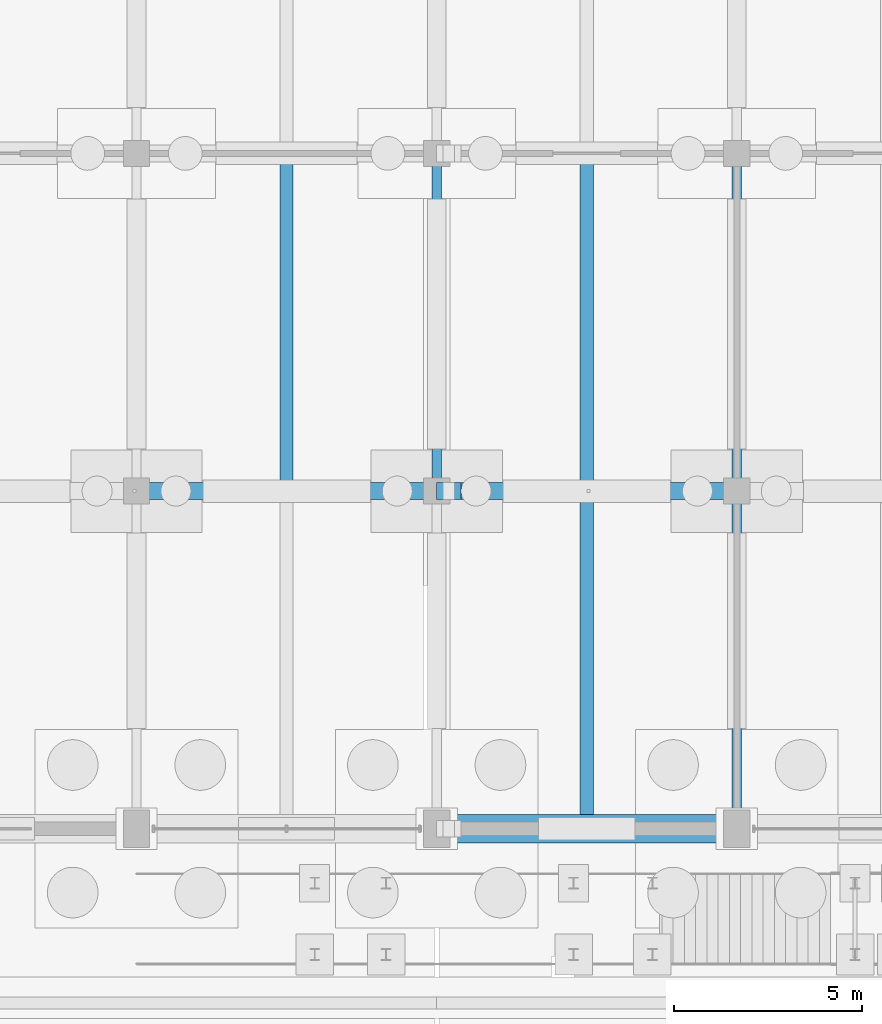
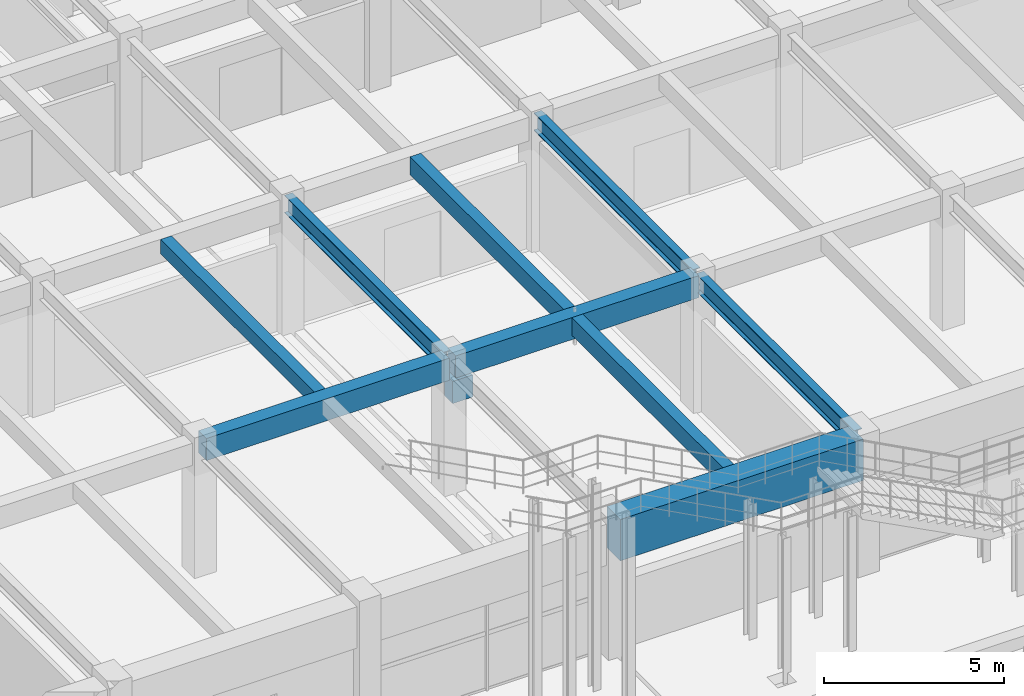
# One storey, part 86 of 147: 10 beams.
"""IFC4 building model written with IfcOpenShell, lengths in metres."""

from ifc_helpers import new_model, si_unit, direction, frame, origin, origin_2d, place, context, subcontext, project, spatial, rectangle, i_section, extrude, material, material_profile, profile_set, type_object, element, save


model = new_model("IFC4")

# Units and contexts
model_context = context("Model", 3, precision=1e-05, world=origin(), true_north=direction((0.0, 1.0)))
body_context = subcontext(model_context, "Body", "Model", "MODEL_VIEW")
ifc_project = project(units=[si_unit("LENGTHUNIT", "METRE"), si_unit("AREAUNIT", "SQUARE_METRE"), si_unit("VOLUMEUNIT", "CUBIC_METRE"), si_unit("PLANEANGLEUNIT", "RADIAN"), si_unit("MASSUNIT", "GRAM", prefix="KILO")], contexts=[model_context])

# Site, building, storey
site_placement = place(None, origin())
site = spatial("IfcSite", under=ifc_project, at=site_placement, CompositionType="ELEMENT")
building_placement = place(site_placement, origin())
building = spatial("IfcBuilding", under=site, at=building_placement, Name="Varnabhumi Central Station", CompositionType="ELEMENT")
storey_placement = place(building_placement, origin())
storey = spatial("IfcBuildingStorey", under=building, at=storey_placement, Name="L00", CompositionType="ELEMENT", Elevation=0.0)

# Beams
ifc_material_1 = material(Name="Concrete M50", Category="concrete")
ifc_material_profile_1 = material_profile(ifc_material_1, rectangle(XDim=0.75, YDim=1.39990234375, at=origin_2d()), Name="Concrete M50", Category="concrete")
ifc_profile_set_1 = profile_set([ifc_material_profile_1], Name="Concrete M50")
beam_type_1 = type_object("IfcBeamType", Name="BM-RC-1400x750", PredefinedType="BEAM", material=ifc_profile_set_1)
beam_1_placement = place(storey_placement, frame((120.10009765625, 80.0, 3.85009765625), z_axis=(1.0, 0.0, 0.0), x_axis=(0.0, 1.0, 0.0)))
element("IfcBeam", 1, at=beam_1_placement, inside=storey, type_object=beam_type_1, Name="Beam L00-K:16-17", PredefinedType="BEAM", context=body_context, shape_type="SweptSolid", body=[
    extrude(rectangle(XDim=0.75, YDim=1.39990234375, at=origin_2d()), origin(), (0.0, 0.0, 1.0), 7.7998046875),
])
ifc_material_2 = material(Name="Concrete M40", Category="concrete")
ifc_material_profile_2 = material_profile(ifc_material_2, rectangle(XDim=0.35009765625, YDim=0.5, at=origin_2d()), Name="Concrete M40", Category="concrete")
ifc_profile_set_2 = profile_set([ifc_material_profile_2], Name="Concrete M40")
beam_type_2 = type_object("IfcBeamType", Name="BM-RC-350x500", PredefinedType="JOIST", material=ifc_profile_set_2)
beam_2_placement = place(storey_placement, frame((116.0, 89.22509765625, 4.300048828125), z_axis=(0.0, 1.0, 0.0), x_axis=(-1.0, 0.0, 0.0)))
element("IfcBeam", 2, at=beam_2_placement, inside=storey, type_object=beam_type_2, Name="Secondary Joist L00-15/16:L-M", PredefinedType="JOIST", context=body_context, shape_type="SweptSolid", body=[
    extrude(rectangle(XDim=0.35009765625, YDim=0.5, at=origin_2d()), origin(), (0.0, 0.0, 1.0), 8.5498046875),
])
ifc_material_profile_3 = material_profile(ifc_material_2, rectangle(XDim=0.449951171875, YDim=0.75, at=origin_2d()), Name="Concrete M40", Category="concrete")
ifc_profile_set_3 = profile_set([ifc_material_profile_3], Name="Concrete M40")
beam_type_3 = type_object("IfcBeamType", Name="BM-RC-450x750", PredefinedType="BEAM", material=ifc_profile_set_3)
for number, where, z_axis, x_axis, name in (
    (3, (112.10009765625, 89.0, 4.175048828125), (1.0, 0.0, 0.0), (0.0, 1.0, 0.0), "Beam L00-L:15-16"),
    (4, (120.10009765625, 89.0, 4.175048828125), (1.0, 0.0, 0.0), (0.0, 1.0, 0.0), "Beam L00-L:16-17"),
):
    element("IfcBeam", number, at=place(storey_placement, frame(where, z_axis=z_axis, x_axis=x_axis)), inside=storey, type_object=beam_type_3, Name=name, PredefinedType="BEAM", context=body_context, shape_type="SweptSolid", body=[
        extrude(rectangle(XDim=0.449951171875, YDim=0.75, at=origin_2d()), origin(), (0.0, 0.0, 1.0), 7.7998046875),
    ])
beam_3_placement = place(storey_placement, frame((120.0, 89.0, 3.344970703125), z_axis=(1.0, 0.0, 0.0), x_axis=(0.0, 1.0, 0.0)))
element("IfcBeam", 5, at=beam_3_placement, inside=storey, type_object=beam_type_3, Name="Movement Joint 650mm Corbel Seat L00-L-16", PredefinedType="BEAM", context=body_context, shape_type="SweptSolid", body=[
    extrude(rectangle(XDim=0.449951171875, YDim=0.75, at=origin_2d()), origin(), (0.0, 0.0, 1.0), 0.64990234375),
])
ifc_material_profile_4 = material_profile(ifc_material_2, rectangle(XDim=0.35009765625, YDim=0.60009765625, at=origin_2d()), Name="Concrete M40", Category="concrete")
ifc_profile_set_4 = profile_set([ifc_material_profile_4], Name="Concrete M40")
beam_type_4 = type_object("IfcBeamType", Name="BM-RC-600x350", PredefinedType="JOIST", material=ifc_profile_set_4)
beam_4_placement = place(storey_placement, frame((124.0, 80.375, 4.25), z_axis=(0.0, 1.0, 0.0), x_axis=(-1.0, 0.0, 0.0)))
element("IfcBeam", 6, at=beam_4_placement, inside=storey, type_object=beam_type_4, Name="Secondary Joist L00-16/17:K-L", PredefinedType="JOIST", context=body_context, shape_type="SweptSolid", body=[
    extrude(rectangle(XDim=0.35009765625, YDim=0.60009765625, at=origin_2d()), origin(), (0.0, 0.0, 1.0), 8.39990234375),
])
beam_5_placement = place(storey_placement, frame((124.0, 89.22509765625, 4.25), z_axis=(0.0, 1.0, 0.0), x_axis=(-1.0, 0.0, 0.0)))
element("IfcBeam", 7, at=beam_5_placement, inside=storey, type_object=beam_type_4, Name="Secondary Joist L00-16/17:L-M", PredefinedType="JOIST", context=body_context, shape_type="SweptSolid", body=[
    extrude(rectangle(XDim=0.35009765625, YDim=0.60009765625, at=origin_2d()), origin(), (0.0, 0.0, 1.0), 8.5498046875),
])
ifc_material_3 = material(Name="Structural steel E350", Category="steel")
ifc_material_profile_5 = material_profile(ifc_material_3, i_section(OverallWidth=0.25, OverallDepth=0.60009765625, WebThickness=0.01171875, FlangeThickness=0.023681640625, FilletRadius=0.01708984375, at=origin_2d()), Name="Structural steel E350", Category="steel")
ifc_profile_set_5 = profile_set([ifc_material_profile_5], Name="Structural steel E350")
beam_type_5 = type_object("IfcBeamType", Name="BM-SEC-ISWB600", PredefinedType="BEAM", material=ifc_profile_set_5)
for number, where, z_axis, x_axis, name in (
    (8, (128.0, 80.10009765625, 4.25), (0.0, 1.0, 0.0), (-1.0, 0.0, 0.0), "Beam L00-17:K-L"),
    (9, (120.0, 89.10009765625, 4.25), (0.0, 1.0, 0.0), (-1.0, 0.0, 0.0), "Beam L00-16:L-M"),
    (10, (128.0, 89.10009765625, 4.25), (0.0, 1.0, 0.0), (-1.0, 0.0, 0.0), "Beam L00-17:L-M"),
):
    element("IfcBeam", number, at=place(storey_placement, frame(where, z_axis=z_axis, x_axis=x_axis)), inside=storey, type_object=beam_type_5, Name=name, PredefinedType="BEAM", context=body_context, shape_type="SweptSolid", body=[
        extrude(i_section(OverallWidth=0.25, OverallDepth=0.60009765625, WebThickness=0.01171875, FlangeThickness=0.023681640625, FilletRadius=0.01708984375, at=origin_2d()), origin(), (0.0, 0.0, 1.0), 8.7998046875),
    ])

save(model, "model.ifc")
